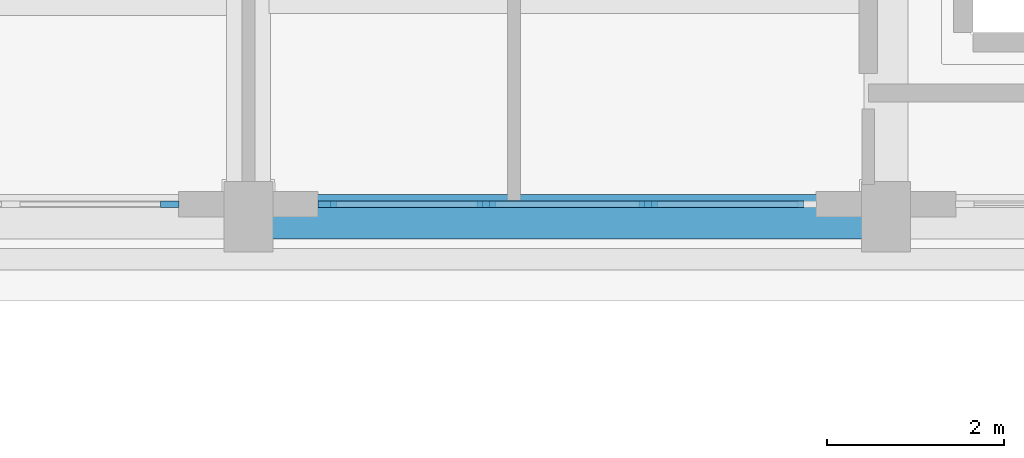
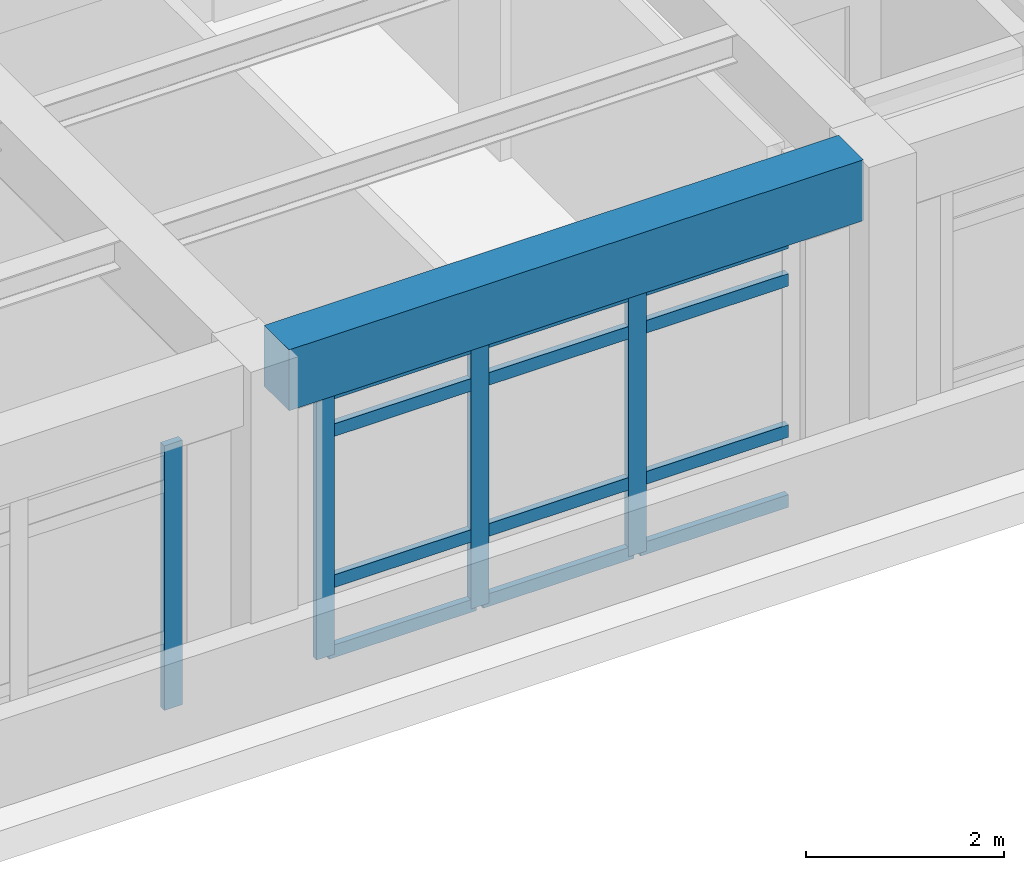
# One storey, part 23 of 69: 16 members, 1 beam, 2 elements without a shape of their own.
"""IFC4 building model written with IfcOpenShell, lengths in metres."""

from ifc_helpers import new_model, si_unit, direction, frame, origin, origin_2d, place, context, subcontext, project, spatial, rectangle, extrude, material, layer, layer_set, material_profile, profile_set, type_object, element, aggregate, save


model = new_model("IFC4")

# Units and contexts
model_context = context("Model", 3, precision=1e-05, world=origin(), true_north=direction((0.0, 1.0)))
body_context = subcontext(model_context, "Body", "Model", "MODEL_VIEW")
ifc_project = project(units=[si_unit("LENGTHUNIT", "METRE"), si_unit("AREAUNIT", "SQUARE_METRE"), si_unit("VOLUMEUNIT", "CUBIC_METRE"), si_unit("PLANEANGLEUNIT", "RADIAN"), si_unit("MASSUNIT", "GRAM", prefix="KILO")], contexts=[model_context])

# Site, building, storey
site_placement = place(None, origin())
site = spatial("IfcSite", under=ifc_project, at=site_placement, CompositionType="ELEMENT")
building_placement = place(site_placement, origin())
building = spatial("IfcBuilding", under=site, at=building_placement, Name="Solenvale Faculty of Natural Sciences", CompositionType="ELEMENT")
storey_placement = place(building_placement, frame((0.0, 0.0, 4.5)))
storey = spatial("IfcBuildingStorey", under=building, at=storey_placement, Name="L01", CompositionType="ELEMENT", Elevation=4.5)

# Beam
ifc_material_1 = material(Name="Concrete 40 MPa", Category="concrete")
ifc_material_profile_1 = material_profile(ifc_material_1, rectangle(XDim=0.5, YDim=0.75, at=origin_2d()), Name="RC-BM-500x750")
ifc_profile_set_1 = profile_set([ifc_material_profile_1], Name="Concrete 40 MPa")
beam_type = type_object("IfcBeamType", Name="BM-RC-500x750", PredefinedType="BEAM", material=ifc_profile_set_1)
beam_placement = place(storey_placement, frame((122.655029296875, 93.60009765625, 3.844970703125), z_axis=(1.0, 0.0, 0.0), x_axis=(0.0, 1.0, 0.0)))
element("IfcBeam", 1, at=beam_placement, inside=storey, type_object=beam_type, Name="L01 X-Girder Y93.6 (122.4..129.6)", PredefinedType="BEAM", context=body_context, shape_type="SweptSolid", body=[
    extrude(rectangle(XDim=0.5, YDim=0.75, at=origin_2d()), origin(), (0.0, 0.0, 1.0), 6.68994140625),
])

# Curtain wall, member
ifc_material_2 = material(Name="Anodised bronze aluminium", Category="aluminium")
ifc_layer = layer(ifc_material_2, 0.179931640625)
ifc_layer_set = layer_set([ifc_layer], Name="Anodised bronze aluminium")
curtain_wall_type = type_object("IfcCurtainWallType", Name="CW-TWR-MOD", PredefinedType="USERDEFINED", material=ifc_layer_set)
curtain_wall_1_placement = place(storey_placement, origin())
curtain_wall_1 = element("IfcCurtainWall", 2, at=curtain_wall_1_placement, inside=storey, type_object=curtain_wall_type, Name="L01 Curtain Wall CW-L01-P2-E6-B6", ObjectType="UNITISED CURTAIN WALL", PredefinedType="USERDEFINED")
ifc_material_profile_2 = material_profile(ifc_material_2, rectangle(XDim=0.074951171875, YDim=0.2099609375, at=origin_2d()), Name="ALU-MUL-75x210")
ifc_profile_set_2 = profile_set([ifc_material_profile_2], Name="Anodised bronze aluminium")
member_type_1 = type_object("IfcMemberType", Name="CWM-ALU-75x210", PredefinedType="MULLION", material=ifc_profile_set_2)
member_1_placement = place(storey_placement, frame((121.512451171875, 93.742431640625, 0.0), z_axis=(0.0, 0.0, 1.0), x_axis=(0.0, 1.0, 0.0)))
member_1 = element("IfcMember", 3, at=member_1_placement, type_object=member_type_1, Name="CW-04 mullion 4", PredefinedType="MULLION", context=body_context, shape_type="SweptSolid", body=[
    extrude(rectangle(XDim=0.074951171875, YDim=0.2099609375, at=origin_2d()), origin(), (0.0, 0.0, 1.0), 3.260009765625),
])
aggregate(curtain_wall_1, [member_1])

# Curtain wall, members
curtain_wall_2_placement = place(storey_placement, origin())
curtain_wall_2 = element("IfcCurtainWall", 4, at=curtain_wall_2_placement, inside=storey, type_object=curtain_wall_type, Name="L01 Curtain Wall CW-L01-P2-E6-B7", ObjectType="UNITISED CURTAIN WALL", PredefinedType="USERDEFINED")
member_2_placement = place(storey_placement, frame((123.28759765625, 93.742431640625, 0.0), z_axis=(0.0, 0.0, 1.0), x_axis=(0.0, 1.0, 0.0)))
member_2 = element("IfcMember", 5, at=member_2_placement, type_object=member_type_1, Name="CW-04 mullion 1", PredefinedType="MULLION", context=body_context, shape_type="SweptSolid", body=[
    extrude(rectangle(XDim=0.074951171875, YDim=0.2099609375, at=origin_2d()), origin(), (0.0, 0.0, 1.0), 3.260009765625),
])
member_3_placement = place(storey_placement, frame((125.083251953125, 93.742431640625, 0.0), z_axis=(0.0, 0.0, 1.0), x_axis=(0.0, 1.0, 0.0)))
member_3 = element("IfcMember", 6, at=member_3_placement, type_object=member_type_1, Name="CW-04 mullion 2", PredefinedType="MULLION", context=body_context, shape_type="SweptSolid", body=[
    extrude(rectangle(XDim=0.074951171875, YDim=0.2099609375, at=origin_2d()), origin(), (0.0, 0.0, 1.0), 3.260009765625),
])
member_4_placement = place(storey_placement, frame((126.916748046875, 93.742431640625, 0.0), z_axis=(0.0, 0.0, 1.0), x_axis=(0.0, 1.0, 0.0)))
member_4 = element("IfcMember", 7, at=member_4_placement, type_object=member_type_1, Name="CW-04 mullion 3", PredefinedType="MULLION", context=body_context, shape_type="SweptSolid", body=[
    extrude(rectangle(XDim=0.074951171875, YDim=0.2099609375, at=origin_2d()), origin(), (0.0, 0.0, 1.0), 3.260009765625),
])
ifc_material_profile_3 = material_profile(ifc_material_2, rectangle(XDim=0.074951171875, YDim=0.155029296875, at=origin_2d()), Name="ALU-TRN-75x155")
ifc_profile_set_3 = profile_set([ifc_material_profile_3], Name="Anodised bronze aluminium")
member_type_2 = type_object("IfcMemberType", Name="CWT-ALU-75x155", PredefinedType="USERDEFINED", material=ifc_profile_set_3)
member_5_placement = place(storey_placement, frame((123.324951171875, 93.742431640625, 0.03759765625), z_axis=(1.0, 0.0, 0.0), x_axis=(0.0, 1.0, 0.0)))
member_5 = element("IfcMember", 8, at=member_5_placement, type_object=member_type_2, Name="CW-04 transom 1.1", ObjectType="TRANSOM", PredefinedType="USERDEFINED", context=body_context, shape_type="SweptSolid", body=[
    extrude(rectangle(XDim=0.074951171875, YDim=0.155029296875, at=origin_2d()), origin(), (0.0, 0.0, 1.0), 1.720947265625),
])
member_6_placement = place(storey_placement, frame((123.324951171875, 93.742431640625, 0.89990234375), z_axis=(1.0, 0.0, 0.0), x_axis=(0.0, 1.0, 0.0)))
member_6 = element("IfcMember", 9, at=member_6_placement, type_object=member_type_2, Name="CW-04 transom 1.2", ObjectType="TRANSOM", PredefinedType="USERDEFINED", context=body_context, shape_type="SweptSolid", body=[
    extrude(rectangle(XDim=0.074951171875, YDim=0.155029296875, at=origin_2d()), origin(), (0.0, 0.0, 1.0), 1.720947265625),
])
member_7_placement = place(storey_placement, frame((123.324951171875, 93.742431640625, 2.760009765625), z_axis=(1.0, 0.0, 0.0), x_axis=(0.0, 1.0, 0.0)))
member_7 = element("IfcMember", 10, at=member_7_placement, type_object=member_type_2, Name="CW-04 transom 1.3", ObjectType="TRANSOM", PredefinedType="USERDEFINED", context=body_context, shape_type="SweptSolid", body=[
    extrude(rectangle(XDim=0.074951171875, YDim=0.155029296875, at=origin_2d()), origin(), (0.0, 0.0, 1.0), 1.720947265625),
])
member_8_placement = place(storey_placement, frame((123.324951171875, 93.742431640625, 3.222412109375), z_axis=(1.0, 0.0, 0.0), x_axis=(0.0, 1.0, 0.0)))
member_8 = element("IfcMember", 11, at=member_8_placement, type_object=member_type_2, Name="CW-04 transom 1.4", ObjectType="TRANSOM", PredefinedType="USERDEFINED", context=body_context, shape_type="SweptSolid", body=[
    extrude(rectangle(XDim=0.074951171875, YDim=0.155029296875, at=origin_2d()), origin(), (0.0, 0.0, 1.0), 1.720947265625),
])
member_9_placement = place(storey_placement, frame((125.120849609375, 93.742431640625, 0.03759765625), z_axis=(1.0, 0.0, 0.0), x_axis=(0.0, 1.0, 0.0)))
member_9 = element("IfcMember", 12, at=member_9_placement, type_object=member_type_2, Name="CW-04 transom 2.1", ObjectType="TRANSOM", PredefinedType="USERDEFINED", context=body_context, shape_type="SweptSolid", body=[
    extrude(rectangle(XDim=0.074951171875, YDim=0.155029296875, at=origin_2d()), origin(), (0.0, 0.0, 1.0), 1.75830078125),
])
member_10_placement = place(storey_placement, frame((125.120849609375, 93.742431640625, 0.89990234375), z_axis=(1.0, 0.0, 0.0), x_axis=(0.0, 1.0, 0.0)))
member_10 = element("IfcMember", 13, at=member_10_placement, type_object=member_type_2, Name="CW-04 transom 2.2", ObjectType="TRANSOM", PredefinedType="USERDEFINED", context=body_context, shape_type="SweptSolid", body=[
    extrude(rectangle(XDim=0.074951171875, YDim=0.155029296875, at=origin_2d()), origin(), (0.0, 0.0, 1.0), 1.75830078125),
])
member_11_placement = place(storey_placement, frame((125.120849609375, 93.742431640625, 2.760009765625), z_axis=(1.0, 0.0, 0.0), x_axis=(0.0, 1.0, 0.0)))
member_11 = element("IfcMember", 14, at=member_11_placement, type_object=member_type_2, Name="CW-04 transom 2.3", ObjectType="TRANSOM", PredefinedType="USERDEFINED", context=body_context, shape_type="SweptSolid", body=[
    extrude(rectangle(XDim=0.074951171875, YDim=0.155029296875, at=origin_2d()), origin(), (0.0, 0.0, 1.0), 1.75830078125),
])
member_12_placement = place(storey_placement, frame((125.120849609375, 93.742431640625, 3.222412109375), z_axis=(1.0, 0.0, 0.0), x_axis=(0.0, 1.0, 0.0)))
member_12 = element("IfcMember", 15, at=member_12_placement, type_object=member_type_2, Name="CW-04 transom 2.4", ObjectType="TRANSOM", PredefinedType="USERDEFINED", context=body_context, shape_type="SweptSolid", body=[
    extrude(rectangle(XDim=0.074951171875, YDim=0.155029296875, at=origin_2d()), origin(), (0.0, 0.0, 1.0), 1.75830078125),
])
member_13_placement = place(storey_placement, frame((126.9541015625, 93.742431640625, 0.03759765625), z_axis=(1.0, 0.0, 0.0), x_axis=(0.0, 1.0, 0.0)))
member_13 = element("IfcMember", 16, at=member_13_placement, type_object=member_type_2, Name="CW-04 transom 3.1", ObjectType="TRANSOM", PredefinedType="USERDEFINED", context=body_context, shape_type="SweptSolid", body=[
    extrude(rectangle(XDim=0.074951171875, YDim=0.155029296875, at=origin_2d()), origin(), (0.0, 0.0, 1.0), 1.720947265625),
])
member_14_placement = place(storey_placement, frame((126.9541015625, 93.742431640625, 0.89990234375), z_axis=(1.0, 0.0, 0.0), x_axis=(0.0, 1.0, 0.0)))
member_14 = element("IfcMember", 17, at=member_14_placement, type_object=member_type_2, Name="CW-04 transom 3.2", ObjectType="TRANSOM", PredefinedType="USERDEFINED", context=body_context, shape_type="SweptSolid", body=[
    extrude(rectangle(XDim=0.074951171875, YDim=0.155029296875, at=origin_2d()), origin(), (0.0, 0.0, 1.0), 1.720947265625),
])
member_15_placement = place(storey_placement, frame((126.9541015625, 93.742431640625, 2.760009765625), z_axis=(1.0, 0.0, 0.0), x_axis=(0.0, 1.0, 0.0)))
member_15 = element("IfcMember", 18, at=member_15_placement, type_object=member_type_2, Name="CW-04 transom 3.3", ObjectType="TRANSOM", PredefinedType="USERDEFINED", context=body_context, shape_type="SweptSolid", body=[
    extrude(rectangle(XDim=0.074951171875, YDim=0.155029296875, at=origin_2d()), origin(), (0.0, 0.0, 1.0), 1.720947265625),
])
member_16_placement = place(storey_placement, frame((126.9541015625, 93.742431640625, 3.222412109375), z_axis=(1.0, 0.0, 0.0), x_axis=(0.0, 1.0, 0.0)))
member_16 = element("IfcMember", 19, at=member_16_placement, type_object=member_type_2, Name="CW-04 transom 3.4", ObjectType="TRANSOM", PredefinedType="USERDEFINED", context=body_context, shape_type="SweptSolid", body=[
    extrude(rectangle(XDim=0.074951171875, YDim=0.155029296875, at=origin_2d()), origin(), (0.0, 0.0, 1.0), 1.720947265625),
])
aggregate(curtain_wall_2, [member_2, member_3, member_4, member_5, member_6, member_7, member_8, member_9, member_10, member_11, member_12, member_13, member_14, member_15, member_16])

save(model, "model.ifc")
